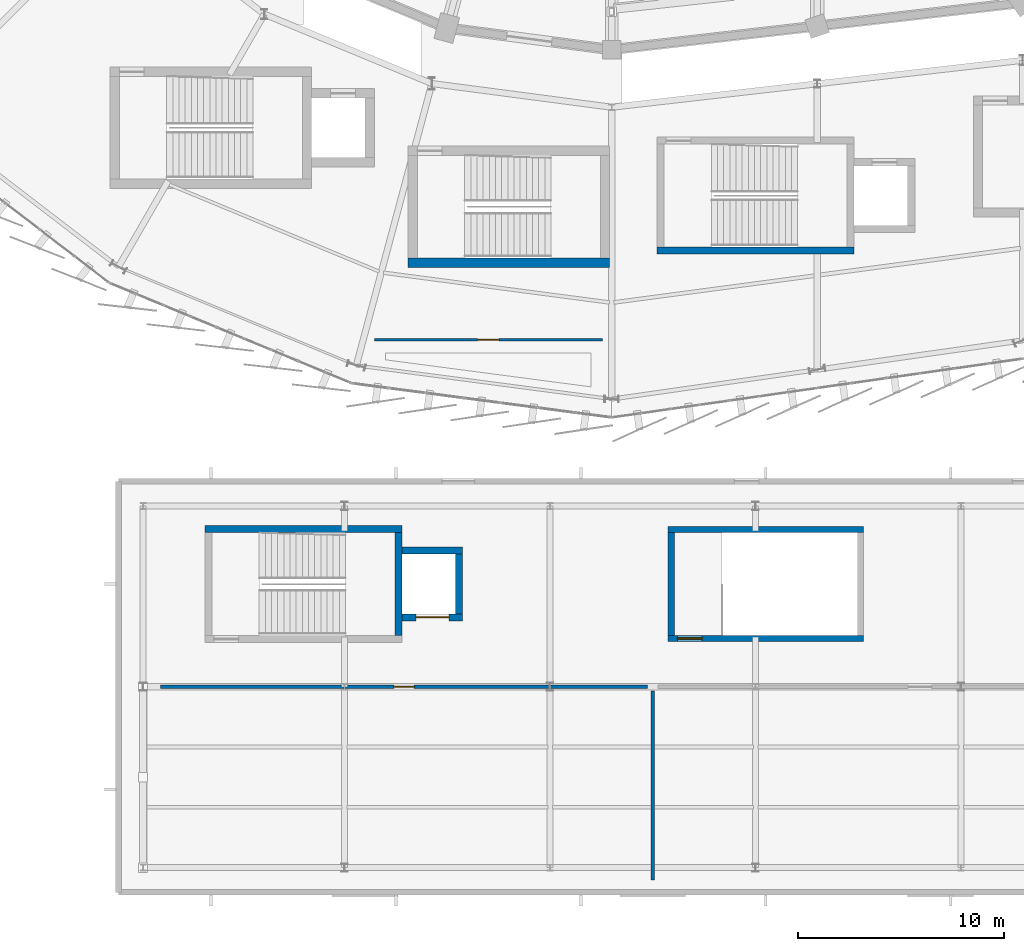
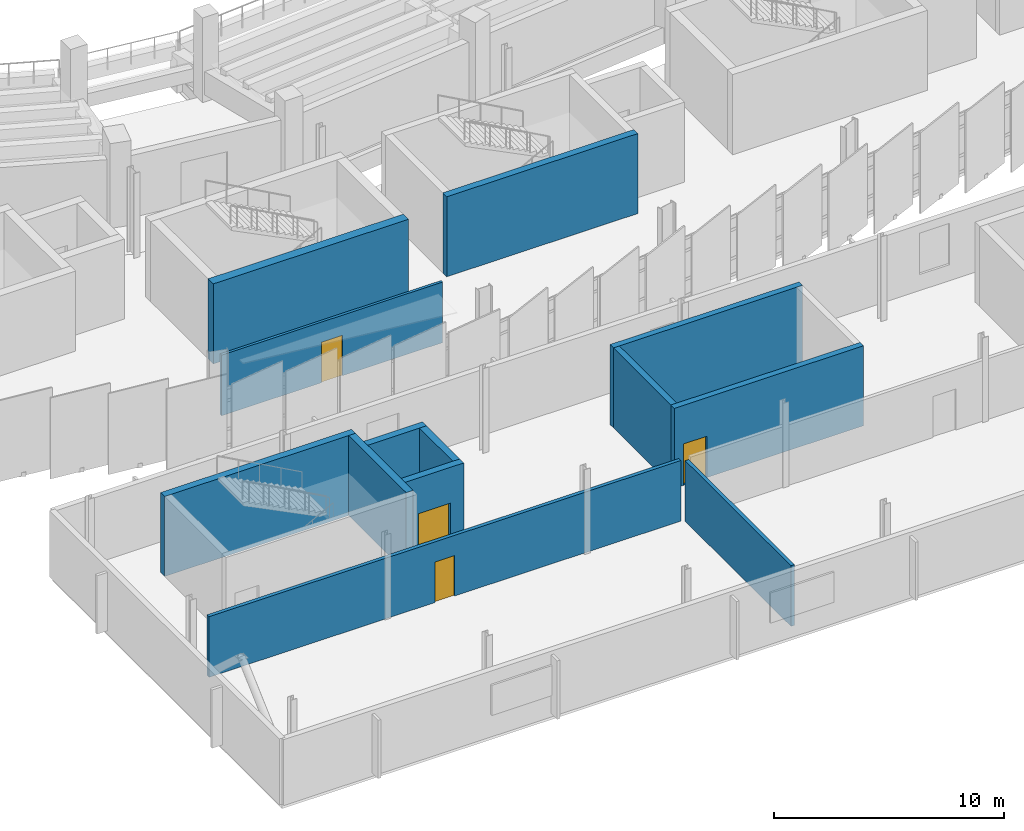
# One storey, part 98 of 120: 13 walls, 4 doors, 4 openings.
"""IFC4 building model written with IfcOpenShell, lengths in metres."""

from ifc_helpers import new_model, si_unit, direction, frame, frame_2d, origin, place, context, subcontext, project, spatial, rectangle, extrude, material, layer, layer_set, type_object, element, fill, save


model = new_model("IFC4")

# Units and contexts
model_context = context("Model", 3, precision=1e-05, world=origin(), true_north=direction((0.0, 1.0)))
body_context = subcontext(model_context, "Body", "Model", "MODEL_VIEW")
ifc_project = project(units=[si_unit("LENGTHUNIT", "METRE"), si_unit("AREAUNIT", "SQUARE_METRE"), si_unit("VOLUMEUNIT", "CUBIC_METRE"), si_unit("PLANEANGLEUNIT", "RADIAN"), si_unit("MASSUNIT", "GRAM", prefix="KILO")], contexts=[model_context])

# Site, building, storey
site_placement = place(None, origin())
site = spatial("IfcSite", under=ifc_project, at=site_placement, CompositionType="ELEMENT")
building_placement = place(site_placement, origin())
building = spatial("IfcBuilding", under=site, at=building_placement, Name="Sohan Crest Arena", CompositionType="ELEMENT")
storey_placement = place(building_placement, frame((0.0, 0.0, 13.5)))
storey = spatial("IfcBuildingStorey", under=building, at=storey_placement, Name="L03", CompositionType="ELEMENT", Elevation=13.5)

# Wall, opening, door
ifc_material_1 = material(Name="Suite acoustic stud partition", Category="masonry")
ifc_layer_1 = layer(ifc_material_1, 0.135009765625, Name="Suite acoustic stud partition")
ifc_layer_set_1 = layer_set([ifc_layer_1], Name="Suite acoustic stud partition")
wall_type_1 = type_object("IfcWallType", Name="WAL-PW02", PredefinedType="PARTITIONING", material=ifc_layer_set_1)
wall_1_placement = place(storey_placement, frame((86.449951171875, 32.885009765625, 0.0), z_axis=(0.0, 0.0, 1.0), x_axis=(1.0, 0.0, 0.0)))
wall_1 = element("IfcWall", 1, at=wall_1_placement, inside=storey, type_object=wall_type_1, Name="Interior partition wall PW-0882", PredefinedType="PARTITIONING", context=body_context, shape_type="SweptSolid", body=[
    extrude(rectangle(XDim=11.10009765625, YDim=0.135009765625, at=frame_2d((5.550048828125, 0.0))), origin(), (0.0, 0.0, 1.0), 3.219970703125),
])
opening_1_placement = place(wall_1_placement, frame((5.02490234375, 0.0, 0.0)))
opening_1 = element("IfcOpeningElement", 2, at=opening_1_placement, cuts=wall_1, Name="Opening RM-0256", PredefinedType="OPENING", context=body_context, shape_type="SweptSolid", body=[
    extrude(rectangle(XDim=1.050048828125, YDim=2.14990234375, at=frame_2d((0.52490234375, 1.074951171875))), frame((0.0, 0.077392578125, 0.0), z_axis=(0.0, -1.0, 0.0), x_axis=(1.0, 0.0, 0.0)), (0.0, 0.0, 1.0), 0.155029296875),
])
ifc_material_2 = material(Name="Fire-rated acoustic suite entrance door", Category="wood")
door_type_1 = type_object("IfcDoorType", Name="DR-FD05", OperationType="NOTDEFINED", PredefinedType="DOOR", material=ifc_material_2)
door_1_placement = place(opening_1_placement, origin())
door_1 = element("IfcDoor", 3, at=door_1_placement, inside=storey, type_object=door_type_1, Name="Hospitality Suite door RM-0256", OperationType="SINGLE_SWING_RIGHT", OverallHeight=2.14990234375, OverallWidth=1.050048828125, PredefinedType="DOOR", context=body_context, shape_type="SweptSolid", body=[
    extrude(rectangle(XDim=1.050048828125, YDim=2.14990234375, at=frame_2d((0.52490234375, 1.074951171875))), frame((0.0, 0.02490234375, 0.0), z_axis=(0.0, -1.0, 0.0), x_axis=(1.0, 0.0, 0.0)), (0.0, 0.0, 1.0), 0.050048828125),
])
fill(opening_1, door_1)

ifc_material_3 = material(Name="Back-of-house masonry room partition", Category="masonry")
ifc_layer_2 = layer(ifc_material_3, 0.179931640625, Name="Back-of-house masonry room partition")
ifc_layer_set_2 = layer_set([ifc_layer_2], Name="Back-of-house masonry room partition")
wall_type_2 = type_object("IfcWallType", Name="WAL-PW05", PredefinedType="PARTITIONING", material=ifc_layer_set_2)
wall_2_placement = place(storey_placement, frame((76.050048828125, 16.0, 0.0), z_axis=(0.0, 0.0, 1.0), x_axis=(1.0, 0.0, 0.0)))
wall_2 = element("IfcWall", 4, at=wall_2_placement, inside=storey, type_object=wall_type_2, Name="Interior partition wall PW-0930", PredefinedType="PARTITIONING", context=body_context, shape_type="SweptSolid", body=[
    extrude(rectangle(XDim=23.699951171875, YDim=0.179931640625, at=frame_2d((11.85009765625, 0.0))), origin(), (0.0, 0.0, 1.0), 3.219970703125),
])
opening_2_placement = place(wall_2_placement, frame((11.360107421875, 0.0, 0.0)))
opening_2 = element("IfcOpeningElement", 5, at=opening_2_placement, cuts=wall_2, Name="Opening V5D-0283", PredefinedType="OPENING", context=body_context, shape_type="SweptSolid", body=[
    extrude(rectangle(XDim=0.97998046875, YDim=2.14990234375, at=frame_2d((0.489990234375, 1.074951171875))), frame((0.0, 0.099853515625, 0.0), z_axis=(0.0, -1.0, 0.0), x_axis=(1.0, 0.0, 0.0)), (0.0, 0.0, 1.0), 0.199951171875),
])
ifc_material_4 = material(Name="Fire-rated plant and store room door", Category="wood")
door_type_2 = type_object("IfcDoorType", Name="DR-FD06", OperationType="NOTDEFINED", PredefinedType="DOOR", material=ifc_material_4)
door_2_placement = place(opening_2_placement, origin())
door_2 = element("IfcDoor", 6, at=door_2_placement, inside=storey, type_object=door_type_2, Name="Bowl AHU Mechanical Plant door V5D-0283", OperationType="SINGLE_SWING_RIGHT", OverallHeight=2.14990234375, OverallWidth=0.97998046875, PredefinedType="DOOR", context=body_context, shape_type="SweptSolid", body=[
    extrude(rectangle(XDim=0.97998046875, YDim=2.14990234375, at=frame_2d((0.489990234375, 1.074951171875))), frame((0.0, 0.02490234375, 0.0), z_axis=(0.0, -1.0, 0.0), x_axis=(1.0, 0.0, 0.0)), (0.0, 0.0, 1.0), 0.050048828125),
])
fill(opening_2, door_2)

# Walls
wall_3_placement = place(storey_placement, frame((100.0, 6.60009765625, 0.0), z_axis=(0.0, 0.0, 1.0), x_axis=(0.0, 1.0, 0.0)))
element("IfcWall", 7, at=wall_3_placement, inside=storey, type_object=wall_type_2, Name="Interior partition wall PW-0931", PredefinedType="PARTITIONING", context=body_context, shape_type="SweptSolid", body=[
    extrude(rectangle(XDim=9.199951171875, YDim=0.179931640625, at=frame_2d((4.60009765625, 0.0))), origin(), (0.0, 0.0, 1.0), 3.219970703125),
])
ifc_material_5 = material(Name="Concrete C40/50", Category="concrete")
ifc_layer_3 = layer(ifc_material_5, 0.300048828125, Name="Concrete C40/50")
ifc_layer_set_3 = layer_set([ifc_layer_3], Name="Concrete C40/50")
wall_type_3 = type_object("IfcWallType", Name="WAL-SW01", PredefinedType="SHEAR", material=ifc_layer_set_3)
wall_4_placement = place(storey_placement, frame((100.89990234375, 18.5, 0.0), z_axis=(0.0, 0.0, 1.0), x_axis=(0.0, 1.0, 0.0)))
element("IfcWall", 8, at=wall_4_placement, inside=storey, type_object=wall_type_3, Name="Core shear wall SW-0523", PredefinedType="SHEAR", context=body_context, shape_type="SweptSolid", body=[
    extrude(rectangle(XDim=5.0, YDim=0.300048828125, at=frame_2d((2.5, 0.0))), origin(), (0.0, 0.0, 1.0), 4.25),
])

# Wall, opening, door
wall_5_placement = place(storey_placement, frame((100.75, 18.35009765625, 0.0), z_axis=(0.0, 0.0, 1.0), x_axis=(1.0, 0.0, 0.0)))
wall_5 = element("IfcWall", 9, at=wall_5_placement, inside=storey, type_object=wall_type_3, Name="Core shear wall SW-0525", PredefinedType="SHEAR", context=body_context, shape_type="SweptSolid", body=[
    extrude(rectangle(XDim=9.5, YDim=0.300048828125, at=frame_2d((4.75, 0.0))), origin(), (0.0, 0.0, 1.0), 4.25),
])
opening_3_placement = place(wall_5_placement, frame((0.449951171875, 0.0, 0.0)))
opening_3 = element("IfcOpeningElement", 10, at=opening_3_placement, cuts=wall_5, Name="Opening SD-0144", PredefinedType="OPENING", context=body_context, shape_type="SweptSolid", body=[
    extrude(rectangle(XDim=1.199951171875, YDim=2.199951171875, at=frame_2d((0.60009765625, 1.10009765625))), frame((0.0, 0.159912109375, 0.0), z_axis=(0.0, -1.0, 0.0), x_axis=(1.0, 0.0, 0.0)), (0.0, 0.0, 1.0), 0.320068359375),
])
ifc_material_6 = material(Name="Fire-rated steel stair and lobby door", Category="steel")
door_type_3 = type_object("IfcDoorType", Name="DR-FD04", OperationType="NOTDEFINED", PredefinedType="DOOR", material=ifc_material_6)
door_3_placement = place(opening_3_placement, frame((1.199951171875, 0.0, 0.0), z_axis=(0.0, 0.0, 1.0), x_axis=(-1.0, 0.0, 0.0)))
door_3 = element("IfcDoor", 11, at=door_3_placement, inside=storey, type_object=door_type_3, Name="Protected stair door SD-0144", OperationType="SINGLE_SWING_RIGHT", OverallHeight=2.199951171875, OverallWidth=1.199951171875, PredefinedType="DOOR", context=body_context, shape_type="SweptSolid", body=[
    extrude(rectangle(XDim=1.199951171875, YDim=2.199951171875, at=frame_2d((0.60009765625, 1.10009765625))), frame((0.0, 0.02490234375, 0.0), z_axis=(0.0, -1.0, 0.0), x_axis=(1.0, 0.0, 0.0)), (0.0, 0.0, 1.0), 0.050048828125),
])
fill(opening_3, door_3)

# Walls
wall_6_placement = place(storey_placement, frame((100.75, 23.64990234375, 0.0), z_axis=(0.0, 0.0, 1.0), x_axis=(1.0, 0.0, 0.0)))
element("IfcWall", 12, at=wall_6_placement, inside=storey, type_object=wall_type_3, Name="Core shear wall SW-0526", PredefinedType="SHEAR", context=body_context, shape_type="SweptSolid", body=[
    extrude(rectangle(XDim=9.5, YDim=0.300048828125, at=frame_2d((4.75, 0.0))), origin(), (0.0, 0.0, 1.0), 4.25),
])
ifc_layer_4 = layer(ifc_material_5, 0.35009765625, Name="Concrete C40/50")
ifc_layer_set_4 = layer_set([ifc_layer_4], Name="Concrete C40/50")
wall_type_4 = type_object("IfcWallType", Name="WAL-SW02", PredefinedType="SHEAR", material=ifc_layer_set_4)
wall_7_placement = place(storey_placement, frame((100.199951171875, 37.22509765625, 0.0), z_axis=(0.0, 0.0, 1.0), x_axis=(1.0, 0.0, 0.0)))
element("IfcWall", 13, at=wall_7_placement, inside=storey, type_object=wall_type_4, Name="Core shear wall SW-0266", PredefinedType="SHEAR", context=body_context, shape_type="SweptSolid", body=[
    extrude(rectangle(XDim=9.60009765625, YDim=0.35009765625, at=frame_2d((4.800048828125, 0.0))), origin(), (0.0, 0.0, 1.0), 4.25),
])
wall_8_placement = place(storey_placement, frame((87.625, 18.5, 0.0), z_axis=(0.0, 0.0, 1.0), x_axis=(0.0, 1.0, 0.0)))
element("IfcWall", 14, at=wall_8_placement, inside=storey, type_object=wall_type_4, Name="Core shear wall SW-0678", PredefinedType="SHEAR", context=body_context, shape_type="SweptSolid", body=[
    extrude(rectangle(XDim=5.0, YDim=0.35009765625, at=frame_2d((2.5, 0.0))), origin(), (0.0, 0.0, 1.0), 4.25),
])
wall_9_placement = place(storey_placement, frame((78.199951171875, 23.675048828125, 0.0), z_axis=(0.0, 0.0, 1.0), x_axis=(1.0, 0.0, 0.0)))
element("IfcWall", 15, at=wall_9_placement, inside=storey, type_object=wall_type_4, Name="Core shear wall SW-0680", PredefinedType="SHEAR", context=body_context, shape_type="SweptSolid", body=[
    extrude(rectangle(XDim=9.60009765625, YDim=0.35009765625, at=frame_2d((4.800048828125, 0.0))), origin(), (0.0, 0.0, 1.0), 4.25),
])
wall_10_placement = place(storey_placement, frame((90.574951171875, 19.550048828125, 0.0), z_axis=(0.0, 0.0, 1.0), x_axis=(0.0, 1.0, 0.0)))
element("IfcWall", 16, at=wall_10_placement, inside=storey, type_object=wall_type_4, Name="Core shear wall SW-0681", PredefinedType="SHEAR", context=body_context, shape_type="SweptSolid", body=[
    extrude(rectangle(XDim=2.89990234375, YDim=0.35009765625, at=frame_2d((1.449951171875, 0.0))), origin(), (0.0, 0.0, 1.0), 4.25),
])

# Wall, opening, door
wall_11_placement = place(storey_placement, frame((87.800048828125, 19.375, 0.0), z_axis=(0.0, 0.0, 1.0), x_axis=(1.0, 0.0, 0.0)))
wall_11 = element("IfcWall", 17, at=wall_11_placement, inside=storey, type_object=wall_type_4, Name="Core shear wall SW-0682", PredefinedType="SHEAR", context=body_context, shape_type="SweptSolid", body=[
    extrude(rectangle(XDim=2.949951171875, YDim=0.35009765625, at=frame_2d((1.47509765625, 0.0))), origin(), (0.0, 0.0, 1.0), 4.25),
])
opening_4_placement = place(wall_11_placement, frame((0.675048828125, 0.0, 0.0)))
opening_4 = element("IfcOpeningElement", 18, at=opening_4_placement, cuts=wall_11, Name="Opening LD-GF01-L03", PredefinedType="OPENING", context=body_context, shape_type="SweptSolid", body=[
    extrude(rectangle(XDim=1.60009765625, YDim=2.35009765625, at=frame_2d((0.800048828125, 1.175048828125))), frame((0.0, 0.18505859375, 0.0), z_axis=(0.0, -1.0, 0.0), x_axis=(1.0, 0.0, 0.0)), (0.0, 0.0, 1.0), 0.3701171875),
])
ifc_material_7 = material(Name="Stainless steel goods lift landing door", Category="steel")
door_type_4 = type_object("IfcDoorType", Name="DR-LD03", OperationType="SLIDING_TO_LEFT", PredefinedType="DOOR", material=ifc_material_7)
door_4_placement = place(opening_4_placement, origin())
door_4 = element("IfcDoor", 19, at=door_4_placement, inside=storey, type_object=door_type_4, Name="Sliding lift landing door LD-GF01-L03", OperationType="SLIDING_TO_LEFT", OverallHeight=2.35009765625, OverallWidth=1.60009765625, PredefinedType="DOOR", context=body_context, shape_type="SweptSolid", body=[
    extrude(rectangle(XDim=1.60009765625, YDim=2.35009765625, at=frame_2d((0.800048828125, 1.175048828125))), frame((0.0, 0.02490234375, 0.0), z_axis=(0.0, -1.0, 0.0), x_axis=(1.0, 0.0, 0.0)), (0.0, 0.0, 1.0), 0.050048828125),
])
fill(opening_4, door_4)

# Walls
wall_12_placement = place(storey_placement, frame((87.800048828125, 22.625, 0.0), z_axis=(0.0, 0.0, 1.0), x_axis=(1.0, 0.0, 0.0)))
element("IfcWall", 20, at=wall_12_placement, inside=storey, type_object=wall_type_4, Name="Core shear wall SW-0683", PredefinedType="SHEAR", context=body_context, shape_type="SweptSolid", body=[
    extrude(rectangle(XDim=2.949951171875, YDim=0.35009765625, at=frame_2d((1.47509765625, 0.0))), origin(), (0.0, 0.0, 1.0), 4.25),
])
ifc_layer_5 = layer(ifc_material_5, 0.449951171875, Name="Concrete C40/50")
ifc_layer_set_5 = layer_set([ifc_layer_5], Name="Concrete C40/50")
wall_type_5 = type_object("IfcWallType", Name="WAL-SW04", PredefinedType="SHEAR", material=ifc_layer_set_5)
wall_13_placement = place(storey_placement, frame((88.10009765625, 36.635009765625, 0.0), z_axis=(0.0, 0.0, 1.0), x_axis=(1.0, 0.0, 0.0)))
element("IfcWall", 21, at=wall_13_placement, inside=storey, type_object=wall_type_5, Name="Core shear wall SW-0751", PredefinedType="SHEAR", context=body_context, shape_type="SweptSolid", body=[
    extrude(rectangle(XDim=9.7998046875, YDim=0.449951171875, at=frame_2d((4.89990234375, 0.0))), origin(), (0.0, 0.0, 1.0), 4.25),
])

save(model, "model.ifc")
